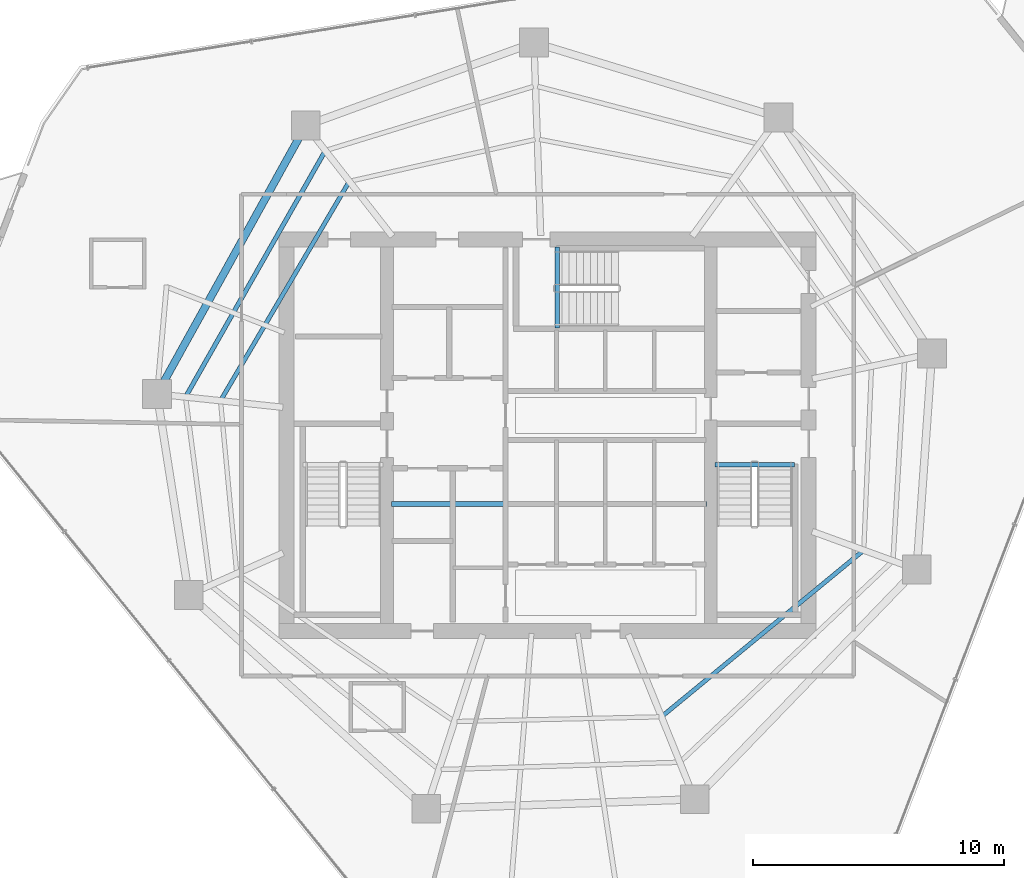
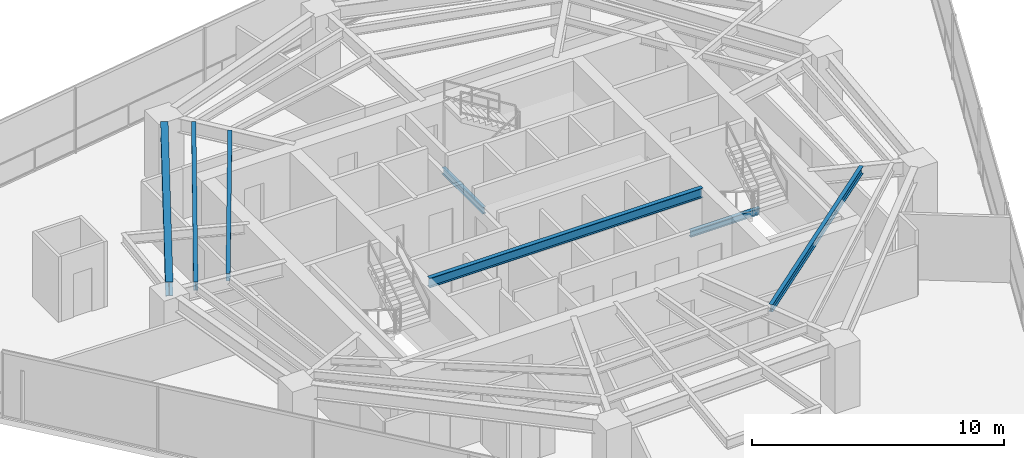
# One storey, part 10 of 27: 7 beams.
"""IFC4 building model written with IfcOpenShell, lengths in metres."""

from ifc_helpers import new_model, si_unit, direction, frame, origin, origin_2d, place, context, subcontext, project, spatial, i_section, extrude, material, material_profile, profile_set, type_object, element, save


model = new_model("IFC4")

# Units and contexts
model_context = context("Model", 3, precision=1e-05, world=origin(), true_north=direction((0.0, 1.0)))
body_context = subcontext(model_context, "Body", "Model", "MODEL_VIEW")
ifc_project = project(units=[si_unit("LENGTHUNIT", "METRE"), si_unit("AREAUNIT", "SQUARE_METRE"), si_unit("VOLUMEUNIT", "CUBIC_METRE"), si_unit("PLANEANGLEUNIT", "RADIAN"), si_unit("MASSUNIT", "GRAM", prefix="KILO")], contexts=[model_context])

# Site, building, storey
site_placement = place(None, origin())
site = spatial("IfcSite", under=ifc_project, at=site_placement, CompositionType="ELEMENT")
building_placement = place(site_placement, origin())
building = spatial("IfcBuilding", under=site, at=building_placement, Name="Qarnah Convention Tower", CompositionType="ELEMENT")
storey_placement = place(building_placement, frame((0.0, 0.0, 100.5)))
storey = spatial("IfcBuildingStorey", under=building, at=storey_placement, Name="L26", CompositionType="ELEMENT", Elevation=100.5)

# Beams
ifc_material = material(Name="Structural steel S355JR", Category="steel")
ifc_material_profile_1 = material_profile(ifc_material, i_section(OverallWidth=0.19189453125, OverallDepth=0.464111328125, WebThickness=0.010986328125, FlangeThickness=0.01806640625, at=origin_2d()), Name="W460X89")
ifc_profile_set_1 = profile_set([ifc_material_profile_1], Name="Structural steel S355JR")
beam_type_1 = type_object("IfcBeamType", Name="BM-CANT-W460A", PredefinedType="BEAM", material=ifc_profile_set_1)
beam_1_placement = place(storey_placement, frame((30.97998046875, 23.64990234375, 2.93798828125), z_axis=(1.0, 0.0, 0.0), x_axis=(0.0, 1.0, 0.0)))
element("IfcBeam", 1, at=beam_1_placement, inside=storey, type_object=beam_type_1, Name="L26 beam BM-L26-KC1", PredefinedType="BEAM", context=body_context, shape_type="SweptSolid", body=[
    extrude(i_section(OverallWidth=0.19189453125, OverallDepth=0.464111328125, WebThickness=0.010986328125, FlangeThickness=0.01806640625, at=origin_2d()), origin(), (0.0, 0.0, 1.0), 12.5400390625),
])
ifc_material_profile_2 = material_profile(ifc_material, i_section(OverallWidth=0.166015625, OverallDepth=0.31201171875, WebThickness=0.007080078125, FlangeThickness=0.010986328125, at=origin_2d()), Name="W310X45")
ifc_profile_set_2 = profile_set([ifc_material_profile_2], Name="Structural steel S355JR")
beam_type_2 = type_object("IfcBeamType", Name="BM-JST-W310", PredefinedType="JOIST", material=ifc_profile_set_2)
beam_2_placement = place(storey_placement, frame((43.860107421875, 25.217041015625, -0.156005859375), z_axis=(1.0, 0.0, 0.0), x_axis=(0.0, 1.0, 0.0)))
element("IfcBeam", 2, at=beam_2_placement, inside=storey, type_object=beam_type_2, Name="L26 stair landing trimmer beam BM-L26-ST2-TRM", PredefinedType="BEAM", context=body_context, shape_type="SweptSolid", body=[
    extrude(i_section(OverallWidth=0.166015625, OverallDepth=0.31201171875, WebThickness=0.007080078125, FlangeThickness=0.010986328125, at=origin_2d()), origin(), (0.0, 0.0, 1.0), 3.179931640625),
])
beam_3_placement = place(storey_placement, frame((37.5830078125, 30.659912109375, -0.156005859375), z_axis=(0.0, 1.0, 0.0), x_axis=(-1.0, 0.0, 0.0)))
element("IfcBeam", 3, at=beam_3_placement, inside=storey, type_object=beam_type_2, Name="L26 stair landing trimmer beam BM-L26-ST3-TRM", PredefinedType="BEAM", context=body_context, shape_type="SweptSolid", body=[
    extrude(i_section(OverallWidth=0.166015625, OverallDepth=0.31201171875, WebThickness=0.007080078125, FlangeThickness=0.010986328125, at=origin_2d()), origin(), (0.0, 0.0, 1.0), 3.239990234375),
])
ifc_material_profile_3 = material_profile(ifc_material, i_section(OverallWidth=0.172119140625, OverallDepth=0.35595703125, WebThickness=0.007080078125, FlangeThickness=0.011962890625, at=origin_2d()), Name="W360X51")
ifc_profile_set_3 = profile_set([ifc_material_profile_3], Name="Structural steel S355JR")
beam_type_3 = type_object("IfcBeamType", Name="BM-JST-W360", PredefinedType="JOIST", material=ifc_profile_set_3)
beam_4_placement = place(storey_placement, frame((29.25390625, 36.43310546875, 2.991943359375), z_axis=(-0.506413461825, -0.862290789515, 0.0), x_axis=(0.862290789515, -0.506413461825, 0.0)))
element("IfcBeam", 4, at=beam_4_placement, inside=storey, type_object=beam_type_3, Name="L26 joist BM-L26-IJST-04", PredefinedType="JOIST", context=body_context, shape_type="SweptSolid", body=[
    extrude(i_section(OverallWidth=0.172119140625, OverallDepth=0.35595703125, WebThickness=0.007080078125, FlangeThickness=0.011962890625, at=origin_2d()), origin(), (0.0, 0.0, 1.0), 9.956298828125),
])
beam_5_placement = place(storey_placement, frame((41.803955078125, 15.235107421875, 2.991943359375), z_axis=(0.772023617409, 0.63559384371, 0.0), x_axis=(-0.63559384371, 0.772023617409, 0.0)))
element("IfcBeam", 5, at=beam_5_placement, inside=storey, type_object=beam_type_3, Name="L26 joist BM-L26-IJST-08", PredefinedType="JOIST", context=body_context, shape_type="SweptSolid", body=[
    extrude(i_section(OverallWidth=0.172119140625, OverallDepth=0.35595703125, WebThickness=0.007080078125, FlangeThickness=0.011962890625, at=origin_2d()), origin(), (0.0, 0.0, 1.0), 10.2626953125),
])
ifc_material_profile_4 = material_profile(ifc_material, i_section(OverallWidth=0.177978515625, OverallDepth=0.407958984375, WebThickness=0.008056640625, FlangeThickness=0.012939453125, at=origin_2d()), Name="W410X60")
ifc_profile_set_4 = profile_set([ifc_material_profile_4], Name="Structural steel S355JR")
beam_type_4 = type_object("IfcBeamType", Name="BM-JST-W410", PredefinedType="JOIST", material=ifc_profile_set_4)
beam_6_placement = place(storey_placement, frame((28.300048828125, 37.656982421875, 2.966064453125), z_axis=(-0.493630675482, -0.869671637012, 0.0), x_axis=(0.869671637012, -0.493630675482, 0.0)))
element("IfcBeam", 6, at=beam_6_placement, inside=storey, type_object=beam_type_4, Name="L26 joist BM-L26-SJST-04", PredefinedType="JOIST", context=body_context, shape_type="SweptSolid", body=[
    extrude(i_section(OverallWidth=0.177978515625, OverallDepth=0.407958984375, WebThickness=0.008056640625, FlangeThickness=0.012939453125, at=origin_2d()), origin(), (0.0, 0.0, 1.0), 11.10986328125),
])
ifc_material_profile_5 = material_profile(ifc_material, i_section(OverallWidth=0.300048828125, OverallDepth=0.699951171875, WebThickness=0.01708984375, FlangeThickness=0.031982421875, at=origin_2d()), Name="HEB700")
ifc_profile_set_5 = profile_set([ifc_material_profile_5], Name="Structural steel S355JR")
beam_type_5 = type_object("IfcBeamType", Name="BM-RING-HEB700", PredefinedType="BEAM", material=ifc_profile_set_5)
beam_7_placement = place(storey_placement, frame((27.291015625, 38.238037109375, 2.820068359375), z_axis=(-0.484800448222, -0.874624791212, 0.0), x_axis=(0.874624791212, -0.484800448222, 0.0)))
element("IfcBeam", 7, at=beam_7_placement, inside=storey, type_object=beam_type_5, Name="L26 beam BM-L26-SPN-04", PredefinedType="BEAM", context=body_context, shape_type="SweptSolid", body=[
    extrude(i_section(OverallWidth=0.300048828125, OverallDepth=0.699951171875, WebThickness=0.01708984375, FlangeThickness=0.031982421875, at=origin_2d()), origin(), (0.0, 0.0, 1.0), 11.099609375),
])

save(model, "model.ifc")
